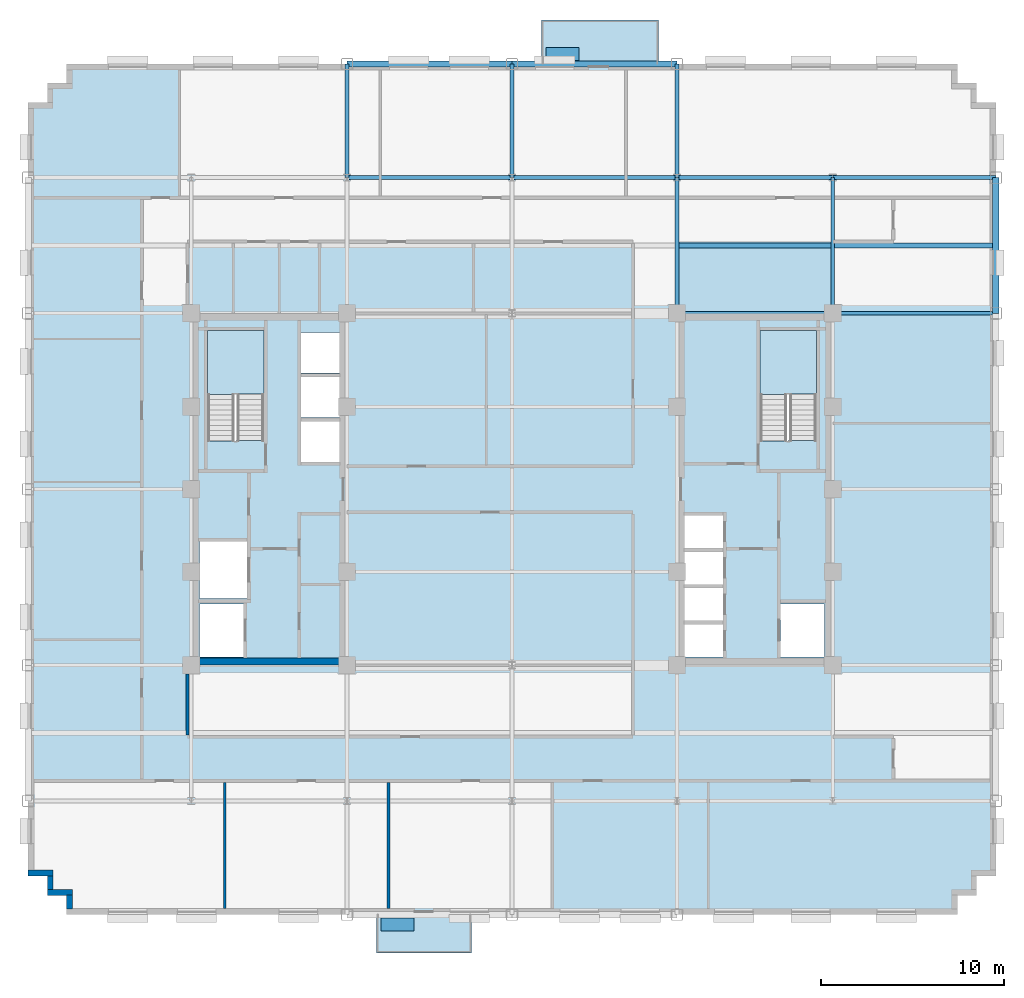
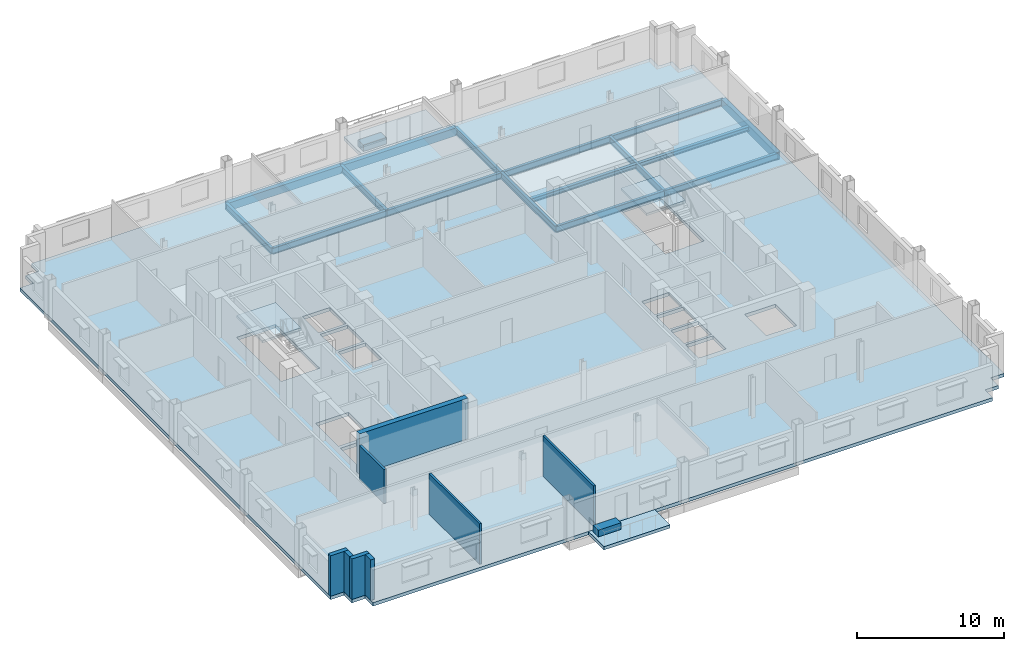
# One storey, part 5 of 14: 16 beams, 8 walls, 5 slabs, 2 plates, 2 elements without a shape of their own.
"""IFC4 building model written with IfcOpenShell, lengths in metres."""

from ifc_helpers import new_model, si_unit, direction, frame, frame_2d, origin, origin_2d, place, context, subcontext, project, spatial, polyline, rectangle, i_section, outline, extrude, source, transform, mapped, material, layer, layer_set, material_profile, profile_set, type_object, type_shapes, element, aggregate, save


model = new_model("IFC4")

# Units and contexts
model_context = context("Model", 3, precision=1e-05, world=origin(), true_north=direction((0.0, 1.0)))
body_context = subcontext(model_context, "Body", "Model", "MODEL_VIEW")
ifc_project = project(units=[si_unit("LENGTHUNIT", "METRE"), si_unit("AREAUNIT", "SQUARE_METRE"), si_unit("VOLUMEUNIT", "CUBIC_METRE"), si_unit("PLANEANGLEUNIT", "RADIAN"), si_unit("MASSUNIT", "GRAM", prefix="KILO")], contexts=[model_context])

# Site, building, storey
site_placement = place(None, origin())
site = spatial("IfcSite", under=ifc_project, at=site_placement, CompositionType="ELEMENT")
building_placement = place(site_placement, origin())
building = spatial("IfcBuilding", under=site, at=building_placement, Name="Nuvemarco Arch Tower", CompositionType="ELEMENT")
storey_placement = place(building_placement, frame((0.0, 0.0, 160.35009765625)))
storey = spatial("IfcBuildingStorey", under=building, at=storey_placement, Name="L42", CompositionType="ELEMENT", Elevation=160.35009765625)

# Beams
ifc_material_1 = material(Name="Steel S355", Category="steel")
ifc_material_profile_1 = material_profile(ifc_material_1, i_section(OverallWidth=0.2109375, OverallDepth=0.5390625, WebThickness=0.01171875, FlangeThickness=0.018798828125, FilletRadius=0.01611328125, at=origin_2d()), Name="W530x109")
ifc_profile_set_1 = profile_set([ifc_material_profile_1], Name="Steel S355")
beam_type_1 = type_object("IfcBeamType", Name="BM-GIRD-530", PredefinedType="BEAM", material=ifc_profile_set_1)
for number, where, z_axis, x_axis, name in (
    (1, (-9.0, 17.0, -0.549560546875), (0.0, 1.0, 0.0), (-1.0, 0.0, 0.0), "L42 structural beam BGNS_L42_0_-9.0_+17.0"),
    (2, (0.0, 17.0, -0.549560546875), (0.0, 1.0, 0.0), (-1.0, 0.0, 0.0), "L42 structural beam BGNS_L42_0_+0.0_+17.0"),
):
    element("IfcBeam", number, at=place(storey_placement, frame(where, z_axis=z_axis, x_axis=x_axis)), inside=storey, type_object=beam_type_1, Name=name, PredefinedType="BEAM", context=body_context, shape_type="SweptSolid", body=[
        extrude(i_section(OverallWidth=0.2109375, OverallDepth=0.5390625, WebThickness=0.01171875, FlangeThickness=0.018798828125, FilletRadius=0.01611328125, at=origin_2d()), origin(), (0.0, 0.0, 1.0), 6.199951171875),
    ])
beam_1_placement = place(storey_placement, frame((9.0, 9.60009765625, -0.549560546875), z_axis=(0.0, 1.0, 0.0), x_axis=(-1.0, 0.0, 0.0)))
element("IfcBeam", 3, at=beam_1_placement, inside=storey, type_object=beam_type_1, Name="L42 structural beam BGNS_L42_0_+9.0_+9.6", PredefinedType="BEAM", context=body_context, shape_type="SweptSolid", body=[
    extrude(i_section(OverallWidth=0.2109375, OverallDepth=0.5390625, WebThickness=0.01171875, FlangeThickness=0.018798828125, FilletRadius=0.01611328125, at=origin_2d()), origin(), (0.0, 0.0, 1.0), 7.39990234375),
])
beam_2_placement = place(storey_placement, frame((9.0, 17.0, -0.549560546875), z_axis=(0.0, 1.0, 0.0), x_axis=(-1.0, 0.0, 0.0)))
element("IfcBeam", 4, at=beam_2_placement, inside=storey, type_object=beam_type_1, Name="L42 structural beam BGNS_L42_0_+9.0_+17.0", PredefinedType="BEAM", context=body_context, shape_type="SweptSolid", body=[
    extrude(i_section(OverallWidth=0.2109375, OverallDepth=0.5390625, WebThickness=0.01171875, FlangeThickness=0.018798828125, FilletRadius=0.01611328125, at=origin_2d()), origin(), (0.0, 0.0, 1.0), 6.199951171875),
])
beam_3_placement = place(storey_placement, frame((17.5, 9.60009765625, -0.549560546875), z_axis=(0.0, 1.0, 0.0), x_axis=(-1.0, 0.0, 0.0)))
element("IfcBeam", 5, at=beam_3_placement, inside=storey, type_object=beam_type_1, Name="L42 structural beam BGNS_L42_0_+17.5_+9.6", PredefinedType="BEAM", context=body_context, shape_type="SweptSolid", body=[
    extrude(i_section(OverallWidth=0.2109375, OverallDepth=0.5390625, WebThickness=0.01171875, FlangeThickness=0.018798828125, FilletRadius=0.01611328125, at=origin_2d()), origin(), (0.0, 0.0, 1.0), 7.39990234375),
])
beam_4_placement = place(storey_placement, frame((9.0, 9.60009765625, -0.549560546875), z_axis=(1.0, 0.0, 0.0), x_axis=(0.0, 1.0, 0.0)))
element("IfcBeam", 6, at=beam_4_placement, inside=storey, type_object=beam_type_1, Name="L42 structural beam BGEW_L42_0_+9.6_+9.0", PredefinedType="BEAM", context=body_context, shape_type="SweptSolid", body=[
    extrude(i_section(OverallWidth=0.2109375, OverallDepth=0.5390625, WebThickness=0.01171875, FlangeThickness=0.018798828125, FilletRadius=0.01611328125, at=origin_2d()), origin(), (0.0, 0.0, 1.0), 8.5),
])
beam_5_placement = place(storey_placement, frame((17.5, 9.60009765625, -0.549560546875), z_axis=(1.0, 0.0, 0.0), x_axis=(0.0, 1.0, 0.0)))
element("IfcBeam", 7, at=beam_5_placement, inside=storey, type_object=beam_type_1, Name="L42 structural beam BGEW_L42_0_+9.6_+17.5", PredefinedType="BEAM", context=body_context, shape_type="SweptSolid", body=[
    extrude(i_section(OverallWidth=0.2109375, OverallDepth=0.5390625, WebThickness=0.01171875, FlangeThickness=0.018798828125, FilletRadius=0.01611328125, at=origin_2d()), origin(), (0.0, 0.0, 1.0), 8.89990234375),
])
for number, where, z_axis, x_axis, name in (
    (8, (-9.0, 17.0, -0.549560546875), (1.0, 0.0, 0.0), (0.0, 1.0, 0.0), "L42 structural beam BGEW_L42_0_+17.0_-9.0"),
    (9, (0.0, 17.0, -0.549560546875), (1.0, 0.0, 0.0), (0.0, 1.0, 0.0), "L42 structural beam BGEW_L42_0_+17.0_+0.0"),
):
    element("IfcBeam", number, at=place(storey_placement, frame(where, z_axis=z_axis, x_axis=x_axis)), inside=storey, type_object=beam_type_1, Name=name, PredefinedType="BEAM", context=body_context, shape_type="SweptSolid", body=[
        extrude(i_section(OverallWidth=0.2109375, OverallDepth=0.5390625, WebThickness=0.01171875, FlangeThickness=0.018798828125, FilletRadius=0.01611328125, at=origin_2d()), origin(), (0.0, 0.0, 1.0), 9.0),
    ])
beam_6_placement = place(storey_placement, frame((9.0, 17.0, -0.549560546875), z_axis=(1.0, 0.0, 0.0), x_axis=(0.0, 1.0, 0.0)))
element("IfcBeam", 10, at=beam_6_placement, inside=storey, type_object=beam_type_1, Name="L42 structural beam BGEW_L42_0_+17.0_+9.0", PredefinedType="BEAM", context=body_context, shape_type="SweptSolid", body=[
    extrude(i_section(OverallWidth=0.2109375, OverallDepth=0.5390625, WebThickness=0.01171875, FlangeThickness=0.018798828125, FilletRadius=0.01611328125, at=origin_2d()), origin(), (0.0, 0.0, 1.0), 8.5),
])
beam_7_placement = place(storey_placement, frame((17.5, 17.0, -0.549560546875), z_axis=(1.0, 0.0, 0.0), x_axis=(0.0, 1.0, 0.0)))
element("IfcBeam", 11, at=beam_7_placement, inside=storey, type_object=beam_type_1, Name="L42 structural beam BGEW_L42_0_+17.0_+17.5", PredefinedType="BEAM", context=body_context, shape_type="SweptSolid", body=[
    extrude(i_section(OverallWidth=0.2109375, OverallDepth=0.5390625, WebThickness=0.01171875, FlangeThickness=0.018798828125, FilletRadius=0.01611328125, at=origin_2d()), origin(), (0.0, 0.0, 1.0), 8.89990234375),
])
ifc_material_profile_2 = material_profile(ifc_material_1, i_section(OverallWidth=0.2548828125, OverallDepth=0.35693359375, WebThickness=0.010498046875, FlangeThickness=0.018310546875, FilletRadius=0.014892578125, at=origin_2d()), Name="W360x101")
ifc_profile_set_2 = profile_set([ifc_material_profile_2], Name="Steel S355")
beam_type_2 = type_object("IfcBeamType", Name="BM-JOIST-360H", PredefinedType="JOIST", material=ifc_profile_set_2)
beam_8_placement = place(storey_placement, frame((9.10546875, 13.300048828125, -0.45849609375), z_axis=(1.0, 0.0, 0.0), x_axis=(0.0, 1.0, 0.0)))
element("IfcBeam", 12, at=beam_8_placement, inside=storey, type_object=beam_type_2, Name="L42 structural beam BJ_L42_0_+13.3_+9.0", PredefinedType="JOIST", context=body_context, shape_type="SweptSolid", body=[
    extrude(i_section(OverallWidth=0.2548828125, OverallDepth=0.35693359375, WebThickness=0.010498046875, FlangeThickness=0.018310546875, FilletRadius=0.014892578125, at=origin_2d()), origin(), (0.0, 0.0, 1.0), 8.2890625),
])
beam_9_placement = place(storey_placement, frame((17.60546875, 13.300048828125, -0.45849609375), z_axis=(1.0, 0.0, 0.0), x_axis=(0.0, 1.0, 0.0)))
element("IfcBeam", 13, at=beam_9_placement, inside=storey, type_object=beam_type_2, Name="L42 structural beam BJ_L42_0_+13.3_+17.5", PredefinedType="JOIST", context=body_context, shape_type="SweptSolid", body=[
    extrude(i_section(OverallWidth=0.2548828125, OverallDepth=0.35693359375, WebThickness=0.010498046875, FlangeThickness=0.018310546875, FilletRadius=0.014892578125, at=origin_2d()), origin(), (0.0, 0.0, 1.0), 8.61962890625),
])
ifc_material_2 = material(Name="Precast concrete C45/55", Category="concrete")
ifc_material_profile_3 = material_profile(ifc_material_2, rectangle(XDim=0.35009765625, YDim=0.64990234375, at=origin_2d()), Name="PC-SP-350x650")
ifc_profile_set_3 = profile_set([ifc_material_profile_3], Name="Precast concrete C45/55")
beam_type_3 = type_object("IfcBeamType", Name="BM-SPAN-RC", PredefinedType="SPANDREL", material=ifc_profile_set_3)
beam_10_placement = place(storey_placement, frame((26.39990234375, 9.60009765625, -0.60498046875), z_axis=(0.0, 1.0, 0.0), x_axis=(-1.0, 0.0, 0.0)))
element("IfcBeam", 14, at=beam_10_placement, inside=storey, type_object=beam_type_3, Name="L42 structural beam BGNS_L42_0_+26.4_+9.6", PredefinedType="SPANDREL", context=body_context, shape_type="SweptSolid", body=[
    extrude(rectangle(XDim=0.35009765625, YDim=0.64990234375, at=origin_2d()), origin(), (0.0, 0.0, 1.0), 7.39990234375),
])
for number, where, z_axis, x_axis, name in (
    (15, (-9.0, 23.199951171875, -0.60498046875), (1.0, 0.0, 0.0), (0.0, 1.0, 0.0), "L42 structural beam BGEW_L42_0_+23.2_-9.0"),
    (16, (0.0, 23.199951171875, -0.60498046875), (1.0, 0.0, 0.0), (0.0, 1.0, 0.0), "L42 structural beam BGEW_L42_0_+23.2_+0.0"),
):
    element("IfcBeam", number, at=place(storey_placement, frame(where, z_axis=z_axis, x_axis=x_axis)), inside=storey, type_object=beam_type_3, Name=name, PredefinedType="SPANDREL", context=body_context, shape_type="SweptSolid", body=[
        extrude(rectangle(XDim=0.35009765625, YDim=0.64990234375, at=origin_2d()), origin(), (0.0, 0.0, 1.0), 9.0),
    ])

# Slab
ifc_material_3 = material(Name="Concrete C50/60", Category="concrete")
ifc_layer_1 = layer(ifc_material_3, 0.280029296875, Name="SL-FLR-280")
ifc_layer_set_1 = layer_set([ifc_layer_1], Name="Concrete C50/60")
slab_type_1 = type_object("IfcSlabType", Name="SL-FLR-280", PredefinedType="FLOOR", material=ifc_layer_set_1)
slab_1_placement = place(storey_placement, frame((0.0, 0.0, -0.280029296875)))
element("IfcSlab", 17, at=slab_1_placement, inside=storey, type_object=slab_type_1, Name="L42 structural floor slab", PredefinedType="FLOOR", context=body_context, shape_type="SweptSolid", body=[
    extrude(outline(polyline([(-24.300048828125, -23.199951171875), (24.300048828125, -23.199951171875), (24.300048828125, -22.14990234375), (25.35009765625, -22.14990234375), (25.35009765625, -21.10009765625), (26.39990234375, -21.10009765625), (26.39990234375, 21.10009765625), (25.35009765625, 21.10009765625), (25.35009765625, 22.14990234375), (24.300048828125, 22.14990234375), (24.300048828125, 23.199951171875), (-24.300048828125, 23.199951171875), (-24.300048828125, 22.14990234375), (-25.35009765625, 22.14990234375), (-25.35009765625, 21.10009765625), (-26.39990234375, 21.10009765625), (-26.39990234375, -21.10009765625), (-25.35009765625, -21.10009765625), (-25.35009765625, -22.14990234375), (-24.300048828125, -22.14990234375), (-24.300048828125, -23.199951171875)]), holes=[polyline([(-13.5400390625, 2.669921875), (-13.5400390625, 8.64990234375), (-16.60009765625, 8.64990234375), (-16.60009765625, 2.630615234375), (-15.070068359375, 2.630615234375), (-15.070068359375, 2.669921875), (-13.5400390625, 2.669921875)]), polyline([(16.60009765625, 2.669921875), (16.60009765625, 8.64990234375), (13.5400390625, 8.64990234375), (13.5400390625, 2.630615234375), (15.070068359375, 2.630615234375), (15.070068359375, 2.669921875), (16.60009765625, 2.669921875)]), polyline([(-17.050048828125, -9.14990234375), (-14.64990234375, -9.14990234375), (-14.64990234375, -6.25), (-17.050048828125, -6.25), (-17.050048828125, -9.14990234375)]), polyline([(-17.050048828125, -5.949951171875), (-14.449951171875, -5.949951171875), (-14.449951171875, -2.85009765625), (-17.050048828125, -2.85009765625), (-17.050048828125, -5.949951171875)]), polyline([(-11.5, 1.5), (-9.35009765625, 1.5), (-9.35009765625, 3.699951171875), (-11.5, 3.699951171875), (-11.5, 1.5)]), polyline([(-11.5, 3.919921875), (-9.35009765625, 3.919921875), (-9.35009765625, 6.1201171875), (-11.5, 6.1201171875), (-11.5, 3.919921875)]), polyline([(-11.5, 6.340087890625), (-9.35009765625, 6.340087890625), (-9.35009765625, 8.5400390625), (-11.5, 8.5400390625), (-11.5, 6.340087890625)]), polyline([(14.64990234375, -9.14990234375), (17.050048828125, -9.14990234375), (17.050048828125, -6.25), (14.64990234375, -6.25), (14.64990234375, -9.14990234375)]), polyline([(9.35009765625, -9.14990234375), (11.5, -9.14990234375), (11.5, -7.3701171875), (9.35009765625, -7.3701171875), (9.35009765625, -9.14990234375)]), polyline([(9.35009765625, -7.169921875), (11.5, -7.169921875), (11.5, -5.389892578125), (9.35009765625, -5.389892578125), (9.35009765625, -7.169921875)]), polyline([(9.35009765625, -5.18994140625), (11.5, -5.18994140625), (11.5, -3.409912109375), (9.35009765625, -3.409912109375), (9.35009765625, -5.18994140625)]), polyline([(9.35009765625, -3.2099609375), (11.5, -3.2099609375), (11.5, -1.429931640625), (9.35009765625, -1.429931640625), (9.35009765625, -3.2099609375)])]), origin(), (0.0, 0.0, 1.0), 0.280029296875),
])

# Stair, slab
stair_type = type_object("IfcStairType", Name="ST-CORE-20R", PredefinedType="HALF_TURN_STAIR", material=ifc_material_2)
stair_1_placement = place(storey_placement, origin())
stair_1 = element("IfcStair", 18, at=stair_1_placement, inside=storey, type_object=stair_type, Name="L42 Protected Exit Stair ST-1", PredefinedType="HALF_TURN_STAIR")
ifc_layer_2 = layer(ifc_material_2, 0.199951171875, Name="SL-LANDING-200")
ifc_layer_set_2 = layer_set([ifc_layer_2], Name="Precast concrete C45/55")
slab_type_2 = type_object("IfcSlabType", Name="SL-LANDING-200", PredefinedType="LANDING", material=ifc_layer_set_2)
slab_2_placement = place(storey_placement, frame((0.0, 0.0, 1.625)))
slab_2 = element("IfcSlab", 19, at=slab_2_placement, type_object=slab_type_2, Name="ST-20R landing 1", PredefinedType="LANDING", context=body_context, shape_type="SweptSolid", body=[
    extrude(outline(polyline([(-13.5400390625, 5.189453125), (-13.5400390625, 8.64990234375), (-16.60009765625, 8.64990234375), (-16.60009765625, 5.169921875), (-15.070068359375, 5.169921875), (-15.070068359375, 5.189453125), (-13.5400390625, 5.189453125)])), origin(), (0.0, 0.0, 1.0), 0.199951171875),
])
aggregate(stair_1, [slab_2])

stair_2_placement = place(storey_placement, origin())
stair_2 = element("IfcStair", 20, at=stair_2_placement, inside=storey, type_object=stair_type, Name="L42 Protected Exit Stair ST-2", PredefinedType="HALF_TURN_STAIR")
slab_3_placement = place(storey_placement, frame((0.0, 0.0, 1.625)))
slab_3 = element("IfcSlab", 21, at=slab_3_placement, type_object=slab_type_2, Name="ST-20R landing 1", PredefinedType="LANDING", context=body_context, shape_type="SweptSolid", body=[
    extrude(outline(polyline([(16.60009765625, 5.189453125), (16.60009765625, 8.64990234375), (13.5400390625, 8.64990234375), (13.5400390625, 5.169921875), (15.070068359375, 5.169921875), (15.070068359375, 5.189453125), (16.60009765625, 5.189453125)])), origin(), (0.0, 0.0, 1.0), 0.199951171875),
])
aggregate(stair_2, [slab_3])

# Slabs
ifc_layer_3 = layer(ifc_material_3, 0.264892578125, Name="SL-TB1")
ifc_layer_set_3 = layer_set([ifc_layer_3], Name="Concrete C50/60")
slab_type_3 = type_object("IfcSlabType", Name="SL-TB1", PredefinedType="FLOOR", material=ifc_layer_set_3)
slab_4_placement = place(storey_placement, frame((0.0, 0.0, -0.26513671875)))
element("IfcSlab", 22, at=slab_4_placement, inside=storey, type_object=slab_type_3, Name="L42 outdoor tree balcony slab 2", PredefinedType="FLOOR", context=body_context, shape_type="SweptSolid", body=[
    extrude(outline(polyline([(-7.39990234375, -25.300048828125), (-2.199951171875, -25.300048828125), (-2.199951171875, -23.199951171875), (-7.39990234375, -23.199951171875), (-7.39990234375, -25.300048828125)])), origin(), (0.0, 0.0, 1.0), 0.26513671875),
])
ifc_layer_4 = layer(ifc_material_3, 0.294921875, Name="SL-TR4")
ifc_layer_set_4 = layer_set([ifc_layer_4], Name="Concrete C50/60")
slab_type_4 = type_object("IfcSlabType", Name="SL-TR4", PredefinedType="FLOOR", material=ifc_layer_set_4)
slab_5_placement = place(storey_placement, frame((0.0, 0.0, -0.295166015625)))
element("IfcSlab", 23, at=slab_5_placement, inside=storey, type_object=slab_type_4, Name="L42 outdoor spiral terrace slab 1", PredefinedType="FLOOR", context=body_context, shape_type="SweptSolid", body=[
    extrude(outline(polyline([(1.60009765625, 23.199951171875), (8.0, 23.199951171875), (8.0, 25.60009765625), (1.60009765625, 25.60009765625), (1.60009765625, 23.199951171875)])), origin(), (0.0, 0.0, 1.0), 0.295166015625),
])

# Plates
ifc_layer_5 = layer(ifc_material_2, 0.550048828125, Name="Tree Balcony Structural Planter")
ifc_layer_set_5 = layer_set([ifc_layer_5], Name="Precast concrete C45/55")
plate_type = type_object("IfcPlateType", Name="Tree Balcony Structural Planter", PredefinedType="USERDEFINED", material=ifc_layer_set_5)
shared_shape = source(origin(), body_context, "Body", "SweptSolid", [
    extrude(rectangle(XDim=1.800048828125, YDim=0.699951171875, at=origin_2d()), origin(), (0.0, 0.0, 1.0), 0.550048828125),
])
type_shapes(plate_type, [shared_shape])
for number, where, z_axis, x_axis, name in (
    (24, (2.75, 23.75, 0.0), (0.0, 0.0, 1.0), (1.0, 0.0, 0.0), "L42 Tree Balcony Structural Planter"),
    (25, (-6.25, -23.75, 0.0), (0.0, 0.0, 1.0), (1.0, 0.0, 0.0), "L42 Tree Balcony Structural Planter"),
):
    element("IfcPlate", number, at=place(storey_placement, frame(where, z_axis=z_axis, x_axis=x_axis)), inside=storey, type_object=plate_type, Name=name, ObjectType="PLANTER", PredefinedType="USERDEFINED", context=body_context, shape_type="MappedRepresentation", body=[
        mapped(shared_shape, transform((0.0, 0.0, 0.0), scale=1.0)),
    ])

# Walls
ifc_layer_6 = layer(ifc_material_2, 0.320068359375, Name="EW-MID-320")
ifc_layer_set_6 = layer_set([ifc_layer_6], Name="Precast concrete C45/55")
wall_type_1 = type_object("IfcWallType", Name="EW-MID-320", PredefinedType="STANDARD", material=ifc_layer_set_6)
wall_1_placement = place(storey_placement, frame((-26.39990234375, -20.93994140625, 0.0), z_axis=(0.0, 0.0, 1.0), x_axis=(1.0, 0.0, 0.0)))
element("IfcWall", 26, at=wall_1_placement, inside=storey, type_object=wall_type_1, Name="L42 exterior precast facade wall 17", PredefinedType="STANDARD", context=body_context, shape_type="SweptSolid", body=[
    extrude(rectangle(XDim=1.369873046875, YDim=0.320068359375, at=frame_2d((0.68505859375, 0.0))), origin(), (0.0, 0.0, 1.0), 3.35986328125),
])
wall_2_placement = place(storey_placement, frame((-25.18994140625, -21.833984375, 0.0), z_axis=(0.0, 0.0, 1.0), x_axis=(0.0, 1.0, 0.0)))
element("IfcWall", 27, at=wall_2_placement, inside=storey, type_object=wall_type_1, Name="L42 exterior precast facade wall 18", PredefinedType="STANDARD", context=body_context, shape_type="SweptSolid", body=[
    extrude(rectangle(XDim=0.738037109375, YDim=0.320068359375, at=frame_2d((0.369140625, 0.0))), origin(), (0.0, 0.0, 1.0), 3.35986328125),
])
wall_3_placement = place(storey_placement, frame((-25.35009765625, -21.989990234375, 0.0), z_axis=(0.0, 0.0, 1.0), x_axis=(1.0, 0.0, 0.0)))
element("IfcWall", 28, at=wall_3_placement, inside=storey, type_object=wall_type_1, Name="L42 exterior precast facade wall 19", PredefinedType="STANDARD", context=body_context, shape_type="SweptSolid", body=[
    extrude(rectangle(XDim=1.3701171875, YDim=0.320068359375, at=frame_2d((0.68505859375, 0.0))), origin(), (0.0, 0.0, 1.0), 3.35986328125),
])
wall_4_placement = place(storey_placement, frame((-24.139892578125, -22.884033203125, 0.0), z_axis=(0.0, 0.0, 1.0), x_axis=(0.0, 1.0, 0.0)))
element("IfcWall", 29, at=wall_4_placement, inside=storey, type_object=wall_type_1, Name="L42 exterior precast facade wall 20", PredefinedType="STANDARD", context=body_context, shape_type="SweptSolid", body=[
    extrude(rectangle(XDim=0.738037109375, YDim=0.320068359375, at=frame_2d((0.369140625, 0.0))), origin(), (0.0, 0.0, 1.0), 3.35986328125),
])
ifc_material_4 = material(Name="Concrete C60/75", Category="concrete")
ifc_layer_7 = layer(ifc_material_4, 0.39990234375, Name="WL-CORE-400")
ifc_layer_set_7 = layer_set([ifc_layer_7], Name="Concrete C60/75")
wall_type_2 = type_object("IfcWallType", Name="WL-CORE-400", PredefinedType="SHEAR", material=ifc_layer_set_7)
wall_5_placement = place(storey_placement, frame((-17.5, -9.39990234375, 0.0), z_axis=(0.0, 0.0, 1.0), x_axis=(1.0, 0.0, 0.0)))
element("IfcWall", 30, at=wall_5_placement, inside=storey, type_object=wall_type_2, Name="L42 W-core shear wall S", PredefinedType="SHEAR", context=body_context, shape_type="SweptSolid", body=[
    extrude(rectangle(XDim=8.5, YDim=0.39990234375, at=frame_2d((4.25, 0.0))), origin(), (0.0, 0.0, 1.0), 3.369873046875),
])
ifc_material_5 = material(Name="Fire-rated gypsum drywall partition")
ifc_layer_8 = layer(ifc_material_5, 0.179931640625, Name="WL-CORR-180")
ifc_layer_set_8 = layer_set([ifc_layer_8], Name="Fire-rated gypsum drywall partition")
wall_type_3 = type_object("IfcWallType", Name="WL-CORR-180", PredefinedType="PARTITIONING", material=ifc_layer_set_8)
wall_6_placement = place(storey_placement, frame((-17.699951171875, -13.4140625, 0.0), z_axis=(0.0, 0.0, 1.0), x_axis=(0.0, 1.0, 0.0)))
element("IfcWall", 31, at=wall_6_placement, inside=storey, type_object=wall_type_3, Name="L42 interior wall IW-L42-019", PredefinedType="PARTITIONING", context=body_context, shape_type="SweptSolid", body=[
    extrude(rectangle(XDim=3.343017578125, YDim=0.179931640625, at=frame_2d((1.67138671875, 0.0))), origin(), (0.0, 0.0, 1.0), 2.81591796875),
])
ifc_material_6 = material(Name="Acoustic gypsum drywall partition")
ifc_layer_9 = layer(ifc_material_6, 0.159912109375, Name="WL-TENANT-160")
ifc_layer_set_9 = layer_set([ifc_layer_9], Name="Acoustic gypsum drywall partition")
wall_type_4 = type_object("IfcWallType", Name="WL-TENANT-160", PredefinedType="PARTITIONING", material=ifc_layer_set_9)
for number, where, z_axis, x_axis, name in (
    (32, (-15.669921875, -22.8798828125, 0.0), (0.0, 0.0, 1.0), (0.0, 1.0, 0.0), "L42 interior wall IW-L42-021"),
    (33, (-6.72998046875, -22.8798828125, 0.0), (0.0, 0.0, 1.0), (0.0, 1.0, 0.0), "L42 interior wall IW-L42-026"),
):
    element("IfcWall", number, at=place(storey_placement, frame(where, z_axis=z_axis, x_axis=x_axis)), inside=storey, type_object=wall_type_4, Name=name, PredefinedType="PARTITIONING", context=body_context, shape_type="SweptSolid", body=[
        extrude(rectangle(XDim=6.893798828125, YDim=0.159912109375, at=frame_2d((3.44677734375, 0.0))), origin(), (0.0, 0.0, 1.0), 3.35986328125),
    ])

save(model, "model.ifc")
